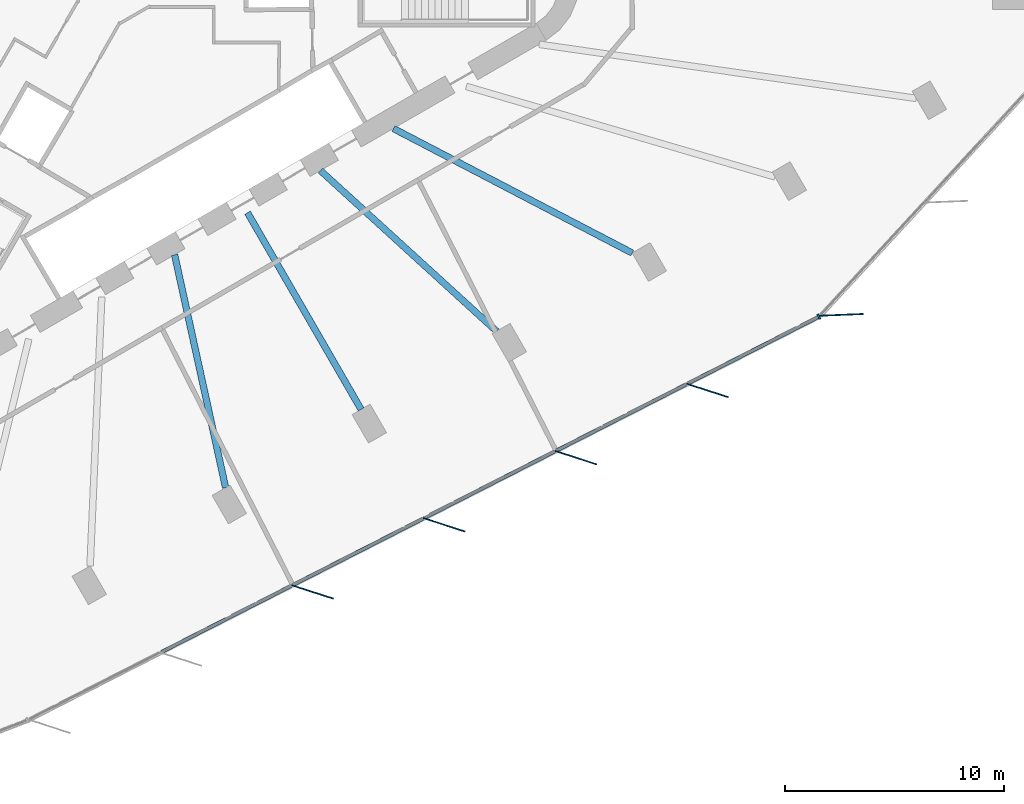
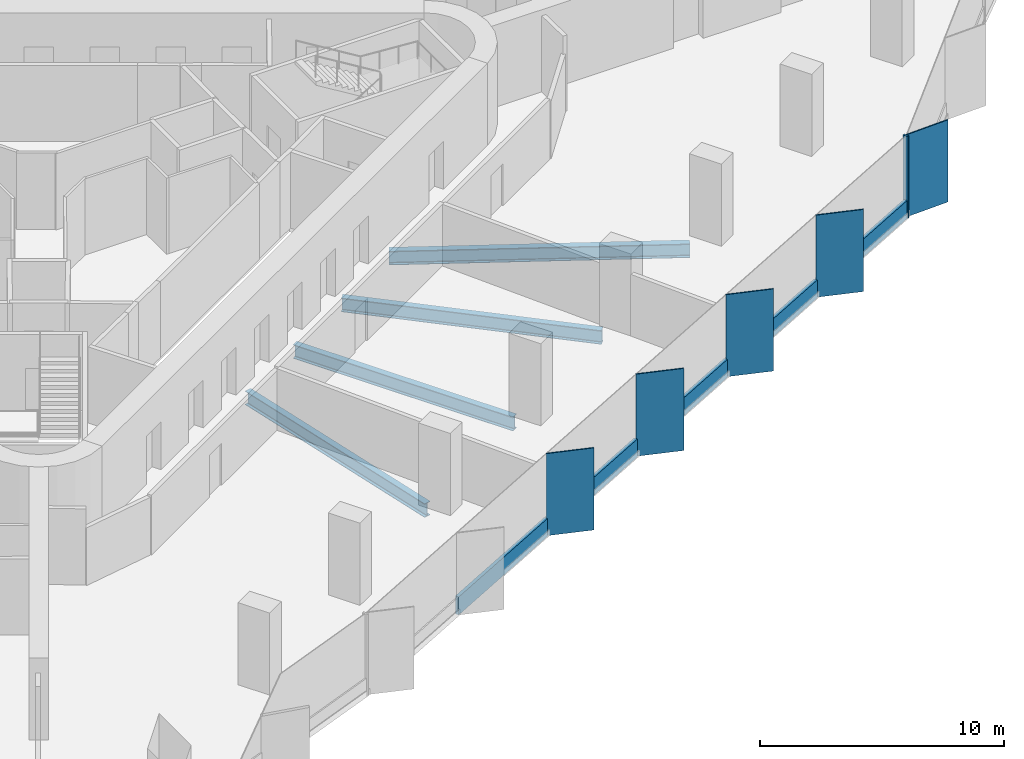
# One storey, part 3 of 14: 11 members, 4 beams, 2 elements without a shape of their own.
"""IFC4 building model written with IfcOpenShell, lengths in metres."""

from ifc_helpers import new_model, si_unit, direction, frame, origin, origin_2d, place, context, subcontext, project, spatial, rectangle, i_section, extrude, material, material_profile, profile_set, type_object, element, aggregate, save


model = new_model("IFC4")

# Units and contexts
model_context = context("Model", 3, precision=1e-05, world=origin(), true_north=direction((0.0, 1.0)))
body_context = subcontext(model_context, "Body", "Model", "MODEL_VIEW")
ifc_project = project(units=[si_unit("LENGTHUNIT", "METRE"), si_unit("AREAUNIT", "SQUARE_METRE"), si_unit("VOLUMEUNIT", "CUBIC_METRE"), si_unit("PLANEANGLEUNIT", "RADIAN"), si_unit("MASSUNIT", "GRAM", prefix="KILO")], contexts=[model_context])

# Site, building, storey
site_placement = place(None, origin())
site = spatial("IfcSite", under=ifc_project, at=site_placement, CompositionType="ELEMENT")
building_placement = place(site_placement, origin())
building = spatial("IfcBuilding", under=site, at=building_placement, Name="Tanit Gate Tower", CompositionType="ELEMENT")
storey_placement = place(building_placement, frame((0.0, 0.0, 78.300048828125)))
storey = spatial("IfcBuildingStorey", under=building, at=storey_placement, Name="L15", CompositionType="ELEMENT", Elevation=78.300048828125)

# Curtain wall, members
ifc_material_1 = material(Name="Aluminium bronze anodised and glass", Category="aluminium")
curtain_wall_type = type_object("IfcCurtainWallType", Name="Curtain wall typical low", PredefinedType="NOTDEFINED", material=ifc_material_1)
curtain_wall_1_placement = place(storey_placement, origin())
curtain_wall_1 = element("IfcCurtainWall", 1, at=curtain_wall_1_placement, inside=storey, type_object=curtain_wall_type, Name="Curtain wall L15 SE2", PredefinedType="NOTDEFINED")
ifc_material_2 = material(Name="Aluminium bronze anodised", Category="aluminium")
ifc_material_profile_1 = material_profile(ifc_material_2, rectangle(XDim=2.0, YDim=0.055908203125, at=origin_2d()), Name="56x2000 bronze fin mullion")
ifc_profile_set_1 = profile_set([ifc_material_profile_1], Name="Aluminium bronze anodised")
member_type_1 = type_object("IfcMemberType", Name="FIN MULLION 56x2000 bronze", PredefinedType="MULLION", material=ifc_profile_set_1)
member_1_placement = place(storey_placement, frame((9.023681640625, -27.818603515625, -0.300048828125), z_axis=(0.0, 0.0, 1.0), x_axis=(-0.951202192353, 0.308568289465, 0.0)))
member_1 = element("IfcMember", 2, at=member_1_placement, type_object=member_type_1, Name="Fin mullion L15 SE2.3", PredefinedType="MULLION", context=body_context, shape_type="SweptSolid", body=[
    extrude(rectangle(XDim=2.0, YDim=0.055908203125, at=origin_2d()), origin(), (0.0, 0.0, 1.0), 4.10009765625),
])
member_2_placement = place(storey_placement, frame((15.04248046875, -24.748291015625, -0.300048828125), z_axis=(0.0, 0.0, 1.0), x_axis=(-0.951202192353, 0.308568289465, 0.0)))
member_2 = element("IfcMember", 3, at=member_2_placement, type_object=member_type_1, Name="Fin mullion L15 SE2.4", PredefinedType="MULLION", context=body_context, shape_type="SweptSolid", body=[
    extrude(rectangle(XDim=2.0, YDim=0.055908203125, at=origin_2d()), origin(), (0.0, 0.0, 1.0), 4.10009765625),
])
member_3_placement = place(storey_placement, frame((21.061279296875, -21.677978515625, -0.300048828125), z_axis=(0.0, 0.0, 1.0), x_axis=(-0.951202192353, 0.308568289465, 0.0)))
member_3 = element("IfcMember", 4, at=member_3_placement, type_object=member_type_1, Name="Fin mullion L15 SE2.5", PredefinedType="MULLION", context=body_context, shape_type="SweptSolid", body=[
    extrude(rectangle(XDim=2.0, YDim=0.055908203125, at=origin_2d()), origin(), (0.0, 0.0, 1.0), 4.10009765625),
])
member_4_placement = place(storey_placement, frame((27.080078125, -18.607666015625, -0.300048828125), z_axis=(0.0, 0.0, 1.0), x_axis=(-0.951202192353, 0.308568289465, 0.0)))
member_4 = element("IfcMember", 5, at=member_4_placement, type_object=member_type_1, Name="Fin mullion L15 SE2.6", PredefinedType="MULLION", context=body_context, shape_type="SweptSolid", body=[
    extrude(rectangle(XDim=2.0, YDim=0.055908203125, at=origin_2d()), origin(), (0.0, 0.0, 1.0), 4.10009765625),
])

# Curtain wall, member
curtain_wall_2_placement = place(storey_placement, origin())
curtain_wall_2 = element("IfcCurtainWall", 6, at=curtain_wall_2_placement, inside=storey, type_object=curtain_wall_type, Name="Curtain wall L15 SE3", PredefinedType="NOTDEFINED")
member_5_placement = place(storey_placement, frame((33.20849609375, -15.14892578125, -0.300048828125), z_axis=(0.0, 0.0, 1.0), x_axis=(-0.999188560879, -0.040276789942, 0.0)))
member_5 = element("IfcMember", 7, at=member_5_placement, type_object=member_type_1, Name="Fin mullion L15 SE3.1", PredefinedType="MULLION", context=body_context, shape_type="SweptSolid", body=[
    extrude(rectangle(XDim=2.0, YDim=0.055908203125, at=origin_2d()), origin(), (0.0, 0.0, 1.0), 4.10009765625),
])
aggregate(curtain_wall_2, [member_5])

# Member
ifc_material_3 = material(Name="Aluminium bronze anodised", Category="aluminium")
ifc_material_profile_2 = material_profile(ifc_material_3, rectangle(XDim=0.239990234375, YDim=0.080078125, at=origin_2d()), Name="80x240 bronze mullion")
ifc_profile_set_2 = profile_set([ifc_material_profile_2], Name="Aluminium bronze anodised")
member_type_2 = type_object("IfcMemberType", Name="Mullion 80x240 typical low", PredefinedType="MULLION", material=ifc_profile_set_2)
member_6_placement = place(storey_placement, frame((32.169189453125, -15.23583984375, -0.300048828125), z_axis=(0.0, 0.0, 1.0), x_axis=(-0.454410790552, 0.890792250432, 0.0)))
member_6 = element("IfcMember", 8, at=member_6_placement, type_object=member_type_2, Name="Mullion L15 SE2.7", PredefinedType="MULLION", context=body_context, shape_type="SweptSolid", body=[
    extrude(rectangle(XDim=0.239990234375, YDim=0.080078125, at=origin_2d()), origin(), (0.0, 0.0, 1.0), 4.10009765625),
])

# Beams
ifc_material_4 = material(Name="Steel S355", Category="steel")
ifc_material_profile_3 = material_profile(ifc_material_4, i_section(OverallWidth=0.300048828125, OverallDepth=0.68994140625, WebThickness=0.014404296875, FlangeThickness=0.027099609375, FilletRadius=0.027099609375, at=origin_2d()), Name="HEA 700")
ifc_profile_set_3 = profile_set([ifc_material_profile_3], Name="Steel S355")
beam_type = type_object("IfcBeamType", Name="RADIAL GIRDER HEA 700 S355", PredefinedType="BEAM", material=ifc_profile_set_3)
beam_1_placement = place(storey_placement, frame((5.04833984375, -23.049560546875, -0.64501953125), z_axis=(-0.213952125378, 0.976844147265, 0.0), x_axis=(-0.976844147265, -0.213952125378, 0.0)))
element("IfcBeam", 9, at=beam_1_placement, inside=storey, type_object=beam_type, Name="RADIAL GIRDER", PredefinedType="BEAM", context=body_context, shape_type="SweptSolid", body=[
    extrude(i_section(OverallWidth=0.300048828125, OverallDepth=0.68994140625, WebThickness=0.014404296875, FlangeThickness=0.027099609375, FilletRadius=0.027099609375, at=origin_2d()), origin(), (0.0, 0.0, 1.0), 10.896240234375),
])
beam_2_placement = place(storey_placement, frame((11.242919921875, -19.47314453125, -0.64501953125), z_axis=(-0.50000806818, 0.866020745569, 0.0), x_axis=(-0.866020745569, -0.50000806818, 0.0)))
element("IfcBeam", 10, at=beam_2_placement, inside=storey, type_object=beam_type, Name="RADIAL GIRDER", PredefinedType="BEAM", context=body_context, shape_type="SweptSolid", body=[
    extrude(i_section(OverallWidth=0.300048828125, OverallDepth=0.68994140625, WebThickness=0.014404296875, FlangeThickness=0.027099609375, FilletRadius=0.027099609375, at=origin_2d()), origin(), (0.0, 0.0, 1.0), 10.383544921875),
])
beam_3_placement = place(storey_placement, frame((17.4375, -15.896728515625, -0.64501953125), z_axis=(-0.73900866501, 0.673695920308, 0.0), x_axis=(-0.673695920308, -0.73900866501, 0.0)))
element("IfcBeam", 11, at=beam_3_placement, inside=storey, type_object=beam_type, Name="RADIAL GIRDER", PredefinedType="BEAM", context=body_context, shape_type="SweptSolid", body=[
    extrude(i_section(OverallWidth=0.300048828125, OverallDepth=0.68994140625, WebThickness=0.014404296875, FlangeThickness=0.027099609375, FilletRadius=0.027099609375, at=origin_2d()), origin(), (0.0, 0.0, 1.0), 10.896240234375),
])
beam_4_placement = place(storey_placement, frame((23.635498046875, -12.322021484375, -0.64501953125), z_axis=(-0.886731546417, 0.462284722426, 0.0), x_axis=(-0.462284722426, -0.886731546417, 0.0)))
element("IfcBeam", 12, at=beam_4_placement, inside=storey, type_object=beam_type, Name="RADIAL GIRDER", PredefinedType="BEAM", context=body_context, shape_type="SweptSolid", body=[
    extrude(i_section(OverallWidth=0.300048828125, OverallDepth=0.68994140625, WebThickness=0.014404296875, FlangeThickness=0.027099609375, FilletRadius=0.027099609375, at=origin_2d()), origin(), (0.0, 0.0, 1.0), 12.31103515625),
])

# Member
ifc_material_5 = material(Name="Aluminium bronze anodised", Category="aluminium")
ifc_material_profile_4 = material_profile(ifc_material_5, rectangle(XDim=0.159912109375, YDim=0.89990234375, at=origin_2d()), Name="160x900 bronze transom")
ifc_profile_set_4 = profile_set([ifc_material_profile_4], Name="Aluminium bronze anodised")
member_type_3 = type_object("IfcMemberType", Name="Transom 160x900 typical low", PredefinedType="USERDEFINED", material=ifc_profile_set_4)
member_7_placement = place(storey_placement, frame((2.11083984375, -30.5693359375, 0.14990234375), z_axis=(0.890792681995, 0.454409944549, 0.0), x_axis=(-0.454409944549, 0.890792681995, 0.0)))
member_7 = element("IfcMember", 13, at=member_7_placement, type_object=member_type_3, Name="Transom L15 SE2.2", ObjectType="TRANSOM", PredefinedType="USERDEFINED", context=body_context, shape_type="SweptSolid", body=[
    extrude(rectangle(XDim=0.159912109375, YDim=0.89990234375, at=origin_2d()), origin(), (0.0, 0.0, 1.0), 6.6767578125),
])

member_8_placement = place(storey_placement, frame((8.129638671875, -27.4990234375, 0.14990234375), z_axis=(0.890792681995, 0.454409944549, 0.0), x_axis=(-0.454409944549, 0.890792681995, 0.0)))
member_8 = element("IfcMember", 14, at=member_8_placement, type_object=member_type_3, Name="Transom L15 SE2.3", ObjectType="TRANSOM", PredefinedType="USERDEFINED", context=body_context, shape_type="SweptSolid", body=[
    extrude(rectangle(XDim=0.159912109375, YDim=0.89990234375, at=origin_2d()), origin(), (0.0, 0.0, 1.0), 6.6767578125),
])

member_9_placement = place(storey_placement, frame((14.1484375, -24.4287109375, 0.14990234375), z_axis=(0.890792681995, 0.454409944549, 0.0), x_axis=(-0.454409944549, 0.890792681995, 0.0)))
member_9 = element("IfcMember", 15, at=member_9_placement, type_object=member_type_3, Name="Transom L15 SE2.4", ObjectType="TRANSOM", PredefinedType="USERDEFINED", context=body_context, shape_type="SweptSolid", body=[
    extrude(rectangle(XDim=0.159912109375, YDim=0.89990234375, at=origin_2d()), origin(), (0.0, 0.0, 1.0), 6.6767578125),
])

member_10_placement = place(storey_placement, frame((20.167236328125, -21.3583984375, 0.14990234375), z_axis=(0.890792681995, 0.454409944549, 0.0), x_axis=(-0.454409944549, 0.890792681995, 0.0)))
member_10 = element("IfcMember", 16, at=member_10_placement, type_object=member_type_3, Name="Transom L15 SE2.5", ObjectType="TRANSOM", PredefinedType="USERDEFINED", context=body_context, shape_type="SweptSolid", body=[
    extrude(rectangle(XDim=0.159912109375, YDim=0.89990234375, at=origin_2d()), origin(), (0.0, 0.0, 1.0), 6.6767578125),
])

member_11_placement = place(storey_placement, frame((26.18603515625, -18.2880859375, 0.14990234375), z_axis=(0.890792681995, 0.454409944549, 0.0), x_axis=(-0.454409944549, 0.890792681995, 0.0)))
member_11 = element("IfcMember", 17, at=member_11_placement, type_object=member_type_3, Name="Transom L15 SE2.6", ObjectType="TRANSOM", PredefinedType="USERDEFINED", context=body_context, shape_type="SweptSolid", body=[
    extrude(rectangle(XDim=0.159912109375, YDim=0.89990234375, at=origin_2d()), origin(), (0.0, 0.0, 1.0), 6.6767578125),
])

aggregate(curtain_wall_1, [member_1, member_2, member_3, member_4, member_6, member_7, member_8, member_9, member_10, member_11])

save(model, "model.ifc")
